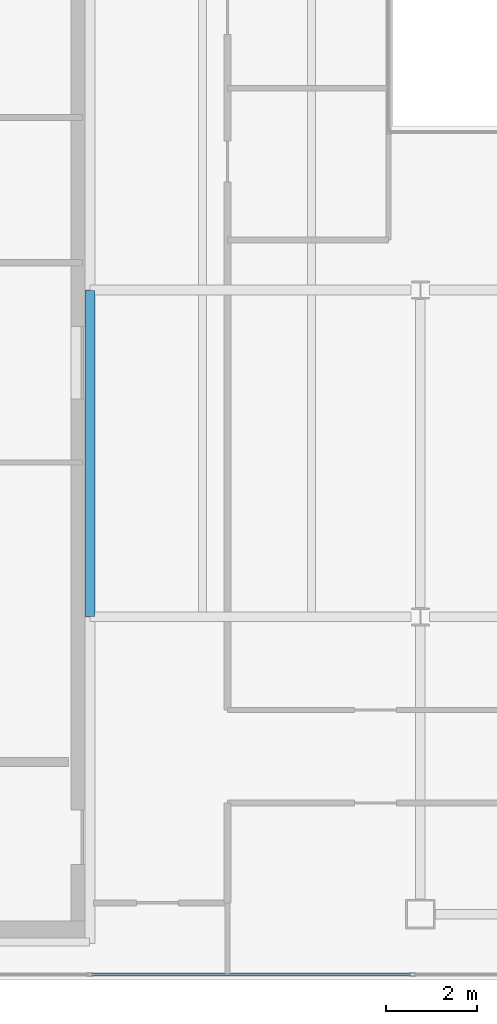
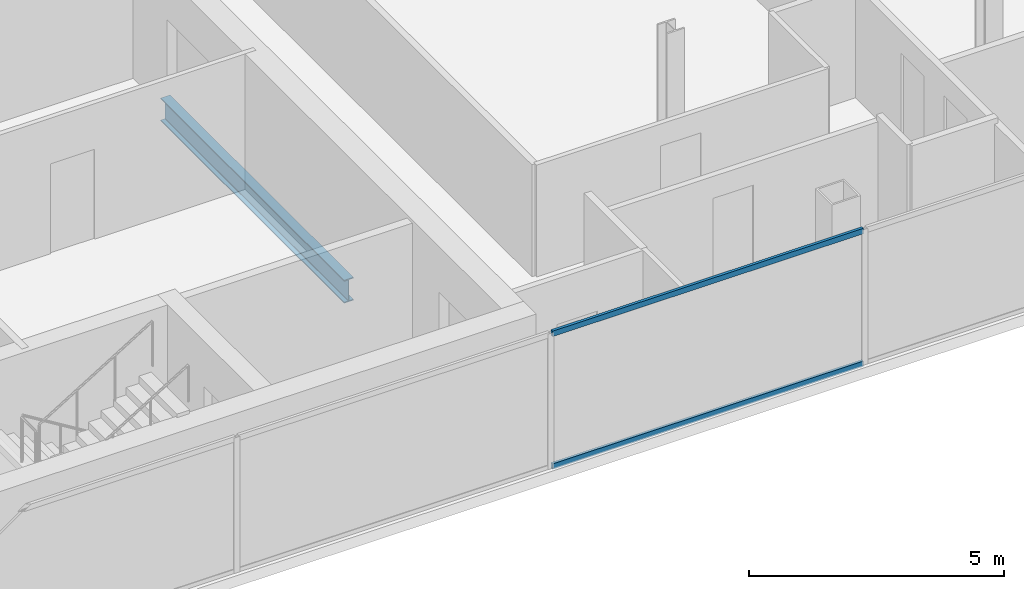
# One storey, part 4 of 24: 2 members, 1 beam, 1 element without a shape of its own.
"""IFC4 building model written with IfcOpenShell, lengths in metres."""

from ifc_helpers import new_model, si_unit, direction, frame, origin, origin_2d, place, context, subcontext, project, spatial, hollow_rectangle, i_section, extrude, material, material_profile, profile_set, type_object, element, aggregate, save


model = new_model("IFC4")

# Units and contexts
model_context = context("Model", 3, precision=1e-05, world=origin(), true_north=direction((0.0, 1.0)))
body_context = subcontext(model_context, "Body", "Model", "MODEL_VIEW")
ifc_project = project(units=[si_unit("LENGTHUNIT", "METRE"), si_unit("AREAUNIT", "SQUARE_METRE"), si_unit("VOLUMEUNIT", "CUBIC_METRE"), si_unit("PLANEANGLEUNIT", "RADIAN"), si_unit("MASSUNIT", "GRAM", prefix="KILO")], contexts=[model_context])

# Site, building, storey
site_placement = place(None, origin())
site = spatial("IfcSite", under=ifc_project, at=site_placement, CompositionType="ELEMENT")
building_placement = place(site_placement, origin())
building = spatial("IfcBuilding", under=site, at=building_placement, Name="Cobrela Telecom Tower", CompositionType="ELEMENT")
storey_placement = place(building_placement, frame((0.0, 0.0, 244.64990234375)))
storey = spatial("IfcBuildingStorey", under=building, at=storey_placement, Name="L63", CompositionType="ELEMENT", Elevation=244.64990234375)

# Beam
ifc_material_1 = material(Name="Steel ASTM A992 Grade 50", Category="steel")
ifc_material_profile_1 = material_profile(ifc_material_1, i_section(OverallWidth=0.212890625, OverallDepth=0.549072265625, WebThickness=0.0146484375, FlangeThickness=0.023681640625, FilletRadius=0.013916015625, at=origin_2d()), Name="W21X93")
ifc_profile_set_1 = profile_set([ifc_material_profile_1], Name="Steel ASTM A992 Grade 50")
beam_type = type_object("IfcBeamType", Name="BM-GIRD-08", PredefinedType="USERDEFINED", material=ifc_profile_set_1)
beam_placement = place(storey_placement, frame((14.320068359375, 14.405029296875, -0.534423828125), z_axis=(0.0, 1.0, 0.0), x_axis=(-1.0, 0.0, 0.0)))
element("IfcBeam", 1, at=beam_placement, inside=storey, type_object=beam_type, Name="L63 Primary Girder Y22", ObjectType="GIRDER", PredefinedType="USERDEFINED", context=body_context, shape_type="SweptSolid", body=[
    extrude(i_section(OverallWidth=0.212890625, OverallDepth=0.549072265625, WebThickness=0.0146484375, FlangeThickness=0.023681640625, FilletRadius=0.013916015625, at=origin_2d()), origin(), (0.0, 0.0, 1.0), 7.18994140625),
])

# Curtain wall, members
ifc_material_2 = material(Name="Anodized Bronze Aluminium 6063-T6", Category="aluminium")
curtain_wall_type = type_object("IfcCurtainWallType", Name="CW-SYS-OFF-HI", PredefinedType="USERDEFINED", material=ifc_material_2)
curtain_wall_placement = place(storey_placement, origin())
curtain_wall = element("IfcCurtainWall", 2, at=curtain_wall_placement, inside=storey, type_object=curtain_wall_type, Name="L63 Unitised Bronze Curtain Wall 15", ObjectType="UNITISED CURTAIN WALL", PredefinedType="USERDEFINED")
ifc_material_profile_2 = material_profile(ifc_material_2, hollow_rectangle(XDim=0.06494140625, YDim=0.1298828125, WallThickness=0.00390625, at=origin_2d()), Name="ALU 65x130x4")
ifc_profile_set_2 = profile_set([ifc_material_profile_2], Name="Anodized Bronze Aluminium 6063-T6")
member_type = type_object("IfcMemberType", Name="CW-SYS-OFF-HI-TRN", PredefinedType="USERDEFINED", material=ifc_profile_set_2)
member_1_placement = place(storey_placement, frame((21.389892578125, 6.52001953125, 0.03271484375), z_axis=(-1.0, 0.0, 0.0), x_axis=(0.0, -1.0, 0.0)))
member_1 = element("IfcMember", 3, at=member_1_placement, type_object=member_type, Name="CW-OFF-HI transom 4.1", ObjectType="TRANSOM", PredefinedType="USERDEFINED", context=body_context, shape_type="SweptSolid", body=[
    extrude(hollow_rectangle(XDim=0.06494140625, YDim=0.1298828125, WallThickness=0.00390625, at=origin_2d()), origin(), (0.0, 0.0, 1.0), 7.031494140625),
])
member_2_placement = place(storey_placement, frame((21.389892578125, 6.52001953125, 3.20751953125), z_axis=(-1.0, 0.0, 0.0), x_axis=(0.0, -1.0, 0.0)))
member_2 = element("IfcMember", 4, at=member_2_placement, type_object=member_type, Name="CW-OFF-HI transom 4.2", ObjectType="TRANSOM", PredefinedType="USERDEFINED", context=body_context, shape_type="SweptSolid", body=[
    extrude(hollow_rectangle(XDim=0.06494140625, YDim=0.1298828125, WallThickness=0.00390625, at=origin_2d()), origin(), (0.0, 0.0, 1.0), 7.031494140625),
])
aggregate(curtain_wall, [member_1, member_2])

save(model, "model.ifc")
